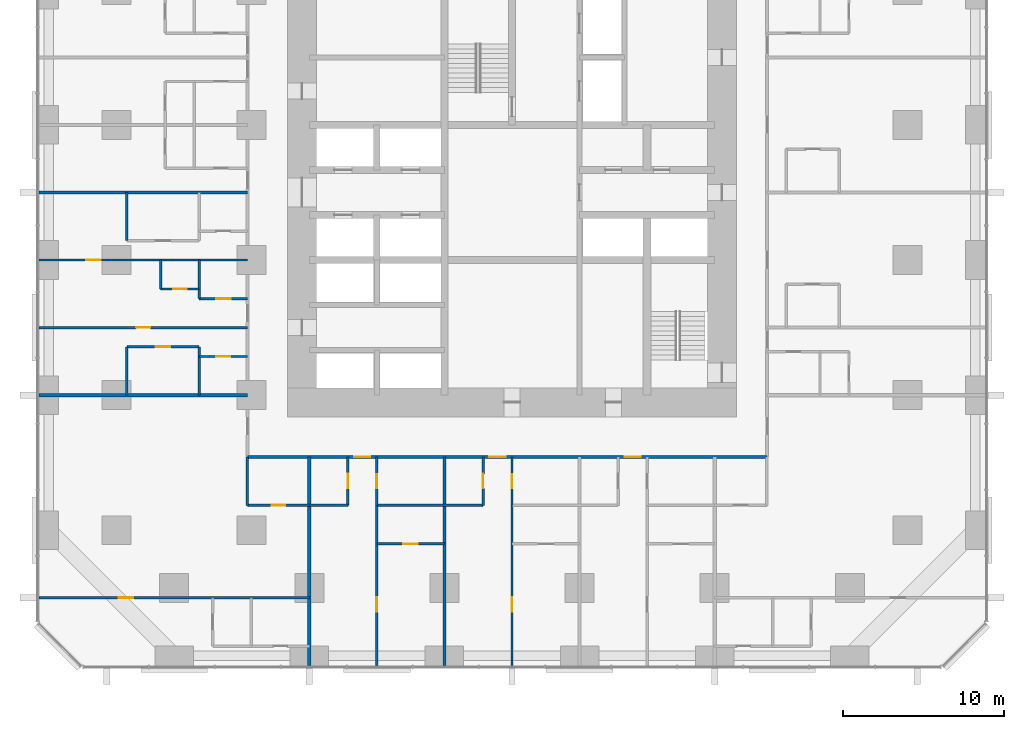
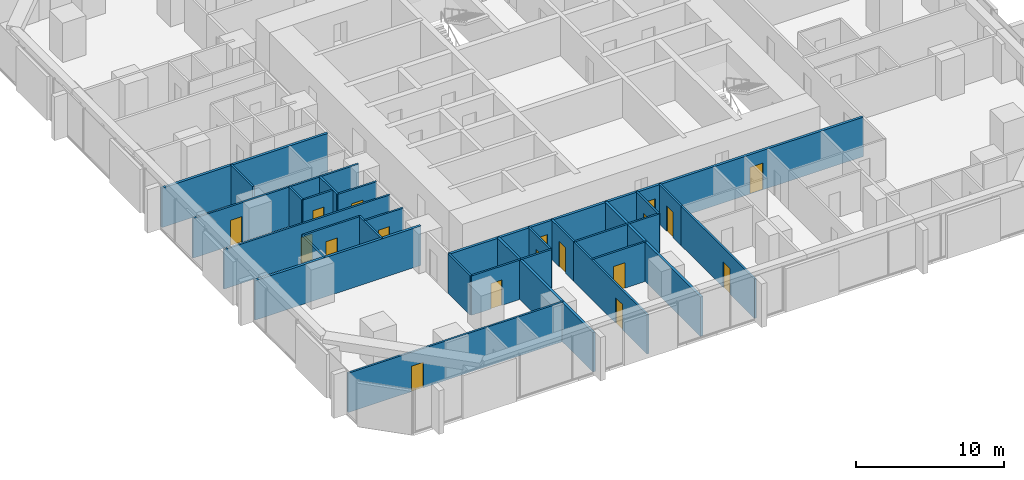
# One storey, part 11 of 17: 28 walls, 18 doors, 18 openings.
"""IFC4 building model written with IfcOpenShell, lengths in metres."""

import ifcopenshell
import ifcopenshell.guid

model = None  # the IFC model being written
_history = None  # IfcOwnerHistory: only IFC2X3 demands one
_inside = {}  # id of a spatial element -> (the spatial element, [elements in it])
_under = {}  # id of a project, library or spatial element -> (it, [spatial elements below it])
_declared = {}  # id of a project -> (the project, [libraries it declares])
_typed = {}  # id of a type object -> (the type object, [elements of that type])
_made_of = {}  # id of a material, layer set ... -> (it, [elements and type objects made of it])


def new_model(schema):
    """Start an empty IFC model of exactly this schema.

    Asked for "IFC4X3", IfcOpenShell would pick the latest addendum, in which some entities
    have other attributes; the version numbers below select the first issue.
    IFC2X3 requires an IfcOwnerHistory on every rooted entity: one is made here for all.
    """
    global model, _history
    if schema == "IFC4X3":
        model = ifcopenshell.file(schema_version=(4, 3, 0, 0))
    else:
        model = ifcopenshell.file(schema=schema)
    _inside.clear()
    _under.clear()
    _declared.clear()
    _typed.clear()
    _made_of.clear()
    _history = None
    if model.schema == "IFC2X3":
        org = make("IfcOrganization", Name="unknown")
        user = make(
            "IfcPersonAndOrganization",
            ThePerson=make("IfcPerson", FamilyName="unknown"),
            TheOrganization=org,
        )
        app = make(
            "IfcApplication",
            ApplicationDeveloper=org,
            Version="unknown",
            ApplicationFullName="unknown",
            ApplicationIdentifier="unknown",
        )
        _history = make(
            "IfcOwnerHistory",
            OwningUser=user,
            OwningApplication=app,
            ChangeAction="ADDED",
            CreationDate=0,
        )
    return model


def make(cls, **values):
    """One entity of the class cls with the attributes given. An attribute that is None is left unset."""
    return model.create_entity(
        cls, **{name: value for name, value in values.items() if value is not None}
    )


def rooted(cls, **values):
    """An entity with a GlobalId (a new one), such as an element, a storey or a relation."""
    return make(cls, GlobalId=ifcopenshell.guid.new(), OwnerHistory=_history, **values)


def si_unit(unit_type, name, prefix=None):
    """IfcSIUnit, for example si_unit("LENGTHUNIT", "METRE", prefix="MILLI")."""
    return make("IfcSIUnit", UnitType=unit_type, Prefix=prefix, Name=name)


def assignment(units):
    """IfcUnitAssignment: the units of a project."""
    return None if units is None else make("IfcUnitAssignment", Units=units)


def point(xyz):
    """IfcCartesianPoint."""
    return None if xyz is None else make("IfcCartesianPoint", Coordinates=xyz)


def direction(xyz):
    """IfcDirection."""
    return None if xyz is None else make("IfcDirection", DirectionRatios=xyz)


def frame(location, z_axis=None, x_axis=None):
    """IfcAxis2Placement3D, a coordinate frame: its origin and axes. An axis left out is left unset."""
    return make(
        "IfcAxis2Placement3D",
        Location=point(location),
        Axis=direction(z_axis),
        RefDirection=direction(x_axis),
    )


def frame_2d(location, x_axis=None):
    """IfcAxis2Placement2D, a coordinate frame in the plane: its origin and x axis."""
    return make(
        "IfcAxis2Placement2D", Location=point(location), RefDirection=direction(x_axis)
    )


def origin():
    """The frame at (0, 0, 0) with its axes left unset."""
    return frame((0.0, 0.0, 0.0))


def place(relative_to, where):
    """IfcLocalPlacement: puts the frame where relative to a parent placement (None: the world)."""
    return make(
        "IfcLocalPlacement", PlacementRelTo=relative_to, RelativePlacement=where
    )


def context(
    kind, dimensions, precision=None, world=None, true_north=None, identifier=None
):
    """IfcGeometricRepresentationContext, for example the 3D "Model" context."""
    return make(
        "IfcGeometricRepresentationContext",
        ContextIdentifier=identifier,
        ContextType=kind,
        CoordinateSpaceDimension=dimensions,
        Precision=precision,
        WorldCoordinateSystem=world,
        TrueNorth=true_north,
    )


def subcontext(parent, identifier, kind, view, scale=None):
    """IfcGeometricRepresentationSubContext, for example "Body" below "Model"."""
    return make(
        "IfcGeometricRepresentationSubContext",
        ContextIdentifier=identifier,
        ContextType=kind,
        ParentContext=parent,
        TargetScale=scale,
        TargetView=view,
    )


def project(units=None, contexts=None):
    """IfcProject with its units and contexts."""
    return rooted(
        "IfcProject",
        Name="project",
        RepresentationContexts=contexts,
        UnitsInContext=assignment(units),
    )


def spatial(cls, under=None, at=None, **own):
    """A site, building, storey or space (cls), placed at a placement, below another one or the project."""
    s = rooted(cls, ObjectPlacement=at, **own)
    if under is not None:
        _under.setdefault(under.id(), (under, []))[1].append(s)
    return s


def profile(cls, at=None, kind="AREA", **sizes):
    """A parametric profile (cls). Its sizes go by their IFC names, for example OverallWidth=200.0."""
    return make(cls, ProfileType=kind, Position=at, **sizes)


def rectangle(**sizes):
    """IfcRectangleProfileDef."""
    return profile("IfcRectangleProfileDef", **sizes)


def extrude(swept, where, along, depth):
    """IfcExtrudedAreaSolid: the profile swept, set in the frame where, extruded along a direction by depth."""
    return make(
        "IfcExtrudedAreaSolid",
        SweptArea=swept,
        Position=where,
        ExtrudedDirection=direction(along),
        Depth=depth,
    )


def shape(context_of_items, identifier, shape_type, items):
    """IfcShapeRepresentation: the items that make up one representation, for example the "Body"."""
    return make(
        "IfcShapeRepresentation",
        ContextOfItems=context_of_items,
        RepresentationIdentifier=identifier,
        RepresentationType=shape_type,
        Items=items,
    )


def material(Name=None, Category=None):
    """IfcMaterial."""
    return make("IfcMaterial", Name=Name, Category=Category)


def layer(
    of_material, thickness, ventilated=None, Name=None, Category=None, Priority=None
):
    """IfcMaterialLayer: one layer of a wall or slab, of a material (None: an air gap)."""
    return make(
        "IfcMaterialLayer",
        Material=of_material,
        LayerThickness=thickness,
        IsVentilated=ventilated,
        Name=Name,
        Category=Category,
        Priority=Priority,
    )


def layer_set(layers, Name=None):
    """IfcMaterialLayerSet."""
    return make("IfcMaterialLayerSet", MaterialLayers=layers, LayerSetName=Name)


def made_of(thing, what):
    """Note that an element or type object is made of a material, layer set ...; save() writes the relation."""
    if what is not None:
        _made_of.setdefault(what.id(), (what, []))[1].append(thing)
    return thing


def type_object(cls, material=None, **own):
    """A type object (cls), such as IfcWallType, which elements share."""
    return made_of(rooted(cls, **own), material)


def element(
    cls,
    number,
    at=None,
    inside=None,
    cuts=None,
    type_object=None,
    material=None,
    context=None,
    identifier="Body",
    shape_type=None,
    held_by="IfcProductDefinitionShape",
    body=None,
    shapes=None,
    **own,
):
    """One element of the class cls, such as IfcWall. Its Tag is "e" and its number.

    at: its placement. inside: the storey or other place that contains it. cuts: it is an
    opening in that element (IfcRelVoidsElement). A single representation is given by context,
    identifier, shape_type and body (its items); several are given by shapes. held_by: the class
    of the entity that holds the representations. save() writes the other relations.
    """
    e = rooted(cls, Tag="e%d" % number, ObjectPlacement=at, **own)
    if body is not None:
        shapes = [shape(context, identifier, shape_type, body)]
    if shapes is not None:
        e.Representation = make(held_by, Representations=shapes)
    if inside is not None:
        _inside.setdefault(inside.id(), (inside, []))[1].append(e)
    if cuts is not None:
        rooted(
            "IfcRelVoidsElement", RelatingBuildingElement=cuts, RelatedOpeningElement=e
        )
    if type_object is not None:
        _typed.setdefault(type_object.id(), (type_object, []))[1].append(e)
    return made_of(e, material)


def fill(opening, filler):
    """IfcRelFillsElement: the door or window that sits in an opening."""
    return rooted(
        "IfcRelFillsElement",
        RelatingOpeningElement=opening,
        RelatedBuildingElement=filler,
    )


def aggregate(whole, parts):
    """IfcRelAggregates: a whole, such as a stair, and the parts it consists of."""
    return rooted("IfcRelAggregates", RelatingObject=whole, RelatedObjects=parts)


def save(model, path):
    """Write the relations noted so far, then the file.

    IfcRelAggregates (storeys below a building ...), IfcRelContainedInSpatialStructure (elements
    in a storey), IfcRelDefinesByType, IfcRelAssociatesMaterial and IfcRelDeclares: one each for
    every whole, place, type object, material and project.
    """
    for whole, parts in _under.values():
        aggregate(whole, parts)
    for where, things in _inside.values():
        rooted(
            "IfcRelContainedInSpatialStructure",
            RelatedElements=things,
            RelatingStructure=where,
        )
    for kind, things in _typed.values():
        rooted("IfcRelDefinesByType", RelatedObjects=things, RelatingType=kind)
    for what, things in _made_of.values():
        rooted("IfcRelAssociatesMaterial", RelatedObjects=things, RelatingMaterial=what)
    for by, libraries in _declared.values():
        rooted("IfcRelDeclares", RelatingContext=by, RelatedDefinitions=libraries)
    model.write(path)


model = new_model("IFC4")

# Units and contexts
model_context = context("Model", 3, precision=1e-05, world=origin(), true_north=direction((0.0, 1.0)))
body_context = subcontext(model_context, "Body", "Model", "MODEL_VIEW")
ifc_project = project(units=[si_unit("LENGTHUNIT", "METRE"), si_unit("AREAUNIT", "SQUARE_METRE"), si_unit("VOLUMEUNIT", "CUBIC_METRE"), si_unit("PLANEANGLEUNIT", "RADIAN"), si_unit("MASSUNIT", "GRAM", prefix="KILO")], contexts=[model_context])

# Site, building, storey
site_placement = place(None, origin())
site = spatial("IfcSite", under=ifc_project, at=site_placement, CompositionType="ELEMENT")
building_placement = place(site_placement, origin())
building = spatial("IfcBuilding", under=site, at=building_placement, Name="Dunama Terrace Hotel", CompositionType="ELEMENT")
storey_placement = place(building_placement, frame((0.0, 0.0, 45.0)))
storey = spatial("IfcBuildingStorey", under=building, at=storey_placement, Name="L10", CompositionType="ELEMENT", Elevation=45.0)

# Walls
ifc_material_1 = material(Name="Gypsum board partition", Category="masonry")
ifc_layer_1 = layer(ifc_material_1, 0.14990234375)
ifc_layer_set_1 = layer_set([ifc_layer_1], Name="Bathroom partition 150")
wall_type_1 = type_object("IfcWallType", Name="Bathroom partition 150", PredefinedType="PARTITIONING", material=ifc_layer_set_1)
wall_1_placement = place(storey_placement, frame((7.550048828125, 23.39990234375, 0.0), z_axis=(0.0, 0.0, 1.0), x_axis=(0.0, 1.0, 0.0)))
element("IfcWall", 1, at=wall_1_placement, inside=storey, type_object=wall_type_1, Name="Bathroom partition 150 L10", PredefinedType="PARTITIONING", context=body_context, shape_type="SweptSolid", body=[
    extrude(rectangle(XDim=1.800048828125, YDim=0.14990234375, at=frame_2d((0.89990234375, 0.0))), origin(), (0.0, 0.0, 1.0), 3.25),
])
wall_2_placement = place(storey_placement, frame((12.949951171875, 9.949951171875, 0.0), z_axis=(0.0, 0.0, 1.0), x_axis=(0.0, 1.0, 0.0)))
element("IfcWall", 2, at=wall_2_placement, inside=storey, type_object=wall_type_1, Name="Bathroom partition 150 L10", PredefinedType="PARTITIONING", context=body_context, shape_type="SweptSolid", body=[
    extrude(rectangle(XDim=3.0, YDim=0.14990234375, at=frame_2d((1.5, 0.0))), origin(), (0.0, 0.0, 1.0), 3.25),
])

# Wall, opening, door
wall_3_placement = place(storey_placement, frame((21.0, 9.949951171875, 0.0), z_axis=(0.0, 0.0, 1.0), x_axis=(0.0, 1.0, 0.0)))
wall_3 = element("IfcWall", 3, at=wall_3_placement, inside=storey, type_object=wall_type_1, Name="Bathroom partition 150 L10", PredefinedType="PARTITIONING", context=body_context, shape_type="SweptSolid", body=[
    extrude(rectangle(XDim=3.0, YDim=0.14990234375, at=frame_2d((1.5, 0.0))), origin(), (0.0, 0.0, 1.0), 3.25),
])
opening_1_placement = place(wall_3_placement, frame((1.074951171875, 0.0, 0.0)))
opening_1 = element("IfcOpeningElement", 4, at=opening_1_placement, cuts=wall_3, Name="Opening L10-11-011", PredefinedType="OPENING", context=body_context, shape_type="SweptSolid", body=[
    extrude(rectangle(XDim=0.85009765625, YDim=2.10009765625, at=frame_2d((0.425048828125, 1.050048828125))), frame((0.0, 0.0849609375, 0.0), z_axis=(0.0, -1.0, 0.0), x_axis=(1.0, 0.0, 0.0)), (0.0, 0.0, 1.0), 0.169921875),
])
ifc_material_2 = material(Name="Timber door with steel frame", Category="steel")
door_type_1 = type_object("IfcDoorType", Name="Bathroom door 850", OperationType="SINGLE_SWING_LEFT", PredefinedType="DOOR", material=ifc_material_2)
door_1_placement = place(opening_1_placement, frame((0.85009765625, 0.0, 0.0), z_axis=(0.0, 0.0, 1.0), x_axis=(-1.0, 0.0, 0.0)))
door_1 = element("IfcDoor", 5, at=door_1_placement, inside=storey, type_object=door_type_1, Name="Door to residence bathroom L10-11-011, type D2", OperationType="SINGLE_SWING_LEFT", OverallHeight=2.10009765625, OverallWidth=0.85009765625, PredefinedType="DOOR", context=body_context, shape_type="SweptSolid", body=[
    extrude(rectangle(XDim=0.85009765625, YDim=2.10009765625, at=frame_2d((0.425048828125, 1.050048828125))), frame((0.0, 0.025146484375, 0.0), z_axis=(0.0, -1.0, 0.0), x_axis=(1.0, 0.0, 0.0)), (0.0, 0.0, 1.0), 0.050048828125),
])
fill(opening_1, door_1)

wall_4_placement = place(storey_placement, frame((29.39990234375, 9.949951171875, 0.0), z_axis=(0.0, 0.0, 1.0), x_axis=(0.0, 1.0, 0.0)))
wall_4 = element("IfcWall", 6, at=wall_4_placement, inside=storey, type_object=wall_type_1, Name="Bathroom partition 150 L10", PredefinedType="PARTITIONING", context=body_context, shape_type="SweptSolid", body=[
    extrude(rectangle(XDim=3.0, YDim=0.14990234375, at=frame_2d((1.5, 0.0))), origin(), (0.0, 0.0, 1.0), 3.25),
])
opening_2_placement = place(wall_4_placement, frame((1.074951171875, 0.0, 0.0)))
opening_2 = element("IfcOpeningElement", 7, at=opening_2_placement, cuts=wall_4, Name="Opening L10-11-016", PredefinedType="OPENING", context=body_context, shape_type="SweptSolid", body=[
    extrude(rectangle(XDim=0.85009765625, YDim=2.10009765625, at=frame_2d((0.425048828125, 1.050048828125))), frame((0.0, 0.0849609375, 0.0), z_axis=(0.0, -1.0, 0.0), x_axis=(1.0, 0.0, 0.0)), (0.0, 0.0, 1.0), 0.169921875),
])
door_2_placement = place(opening_2_placement, frame((0.85009765625, 0.0, 0.0), z_axis=(0.0, 0.0, 1.0), x_axis=(-1.0, 0.0, 0.0)))
door_2 = element("IfcDoor", 8, at=door_2_placement, inside=storey, type_object=door_type_1, Name="Door to residence bathroom L10-11-016, type D2", OperationType="SINGLE_SWING_LEFT", OverallHeight=2.10009765625, OverallWidth=0.85009765625, PredefinedType="DOOR", context=body_context, shape_type="SweptSolid", body=[
    extrude(rectangle(XDim=0.85009765625, YDim=2.10009765625, at=frame_2d((0.425048828125, 1.050048828125))), frame((0.0, 0.025146484375, 0.0), z_axis=(0.0, -1.0, 0.0), x_axis=(1.0, 0.0, 0.0)), (0.0, 0.0, 1.0), 0.050048828125),
])
fill(opening_2, door_2)

wall_5_placement = place(storey_placement, frame((12.949951171875, 9.949951171875, 0.0), z_axis=(0.0, 0.0, 1.0), x_axis=(1.0, 0.0, 0.0)))
wall_5 = element("IfcWall", 9, at=wall_5_placement, inside=storey, type_object=wall_type_1, Name="Bathroom partition 150 L10", PredefinedType="PARTITIONING", context=body_context, shape_type="SweptSolid", body=[
    extrude(rectangle(XDim=3.85009765625, YDim=0.14990234375, at=frame_2d((1.925048828125, 0.0))), origin(), (0.0, 0.0, 1.0), 3.25),
])
opening_3_placement = place(wall_5_placement, frame((1.5, 0.0, 0.0)))
opening_3 = element("IfcOpeningElement", 10, at=opening_3_placement, cuts=wall_5, Name="Opening L10-11-068", PredefinedType="OPENING", context=body_context, shape_type="SweptSolid", body=[
    extrude(rectangle(XDim=0.85009765625, YDim=2.10009765625, at=frame_2d((0.425048828125, 1.050048828125))), frame((0.0, 0.0849609375, 0.0), z_axis=(0.0, -1.0, 0.0), x_axis=(1.0, 0.0, 0.0)), (0.0, 0.0, 1.0), 0.169921875),
])
door_3_placement = place(opening_3_placement, origin())
door_3 = element("IfcDoor", 11, at=door_3_placement, inside=storey, type_object=door_type_1, Name="Door to powder room L10-11-068, type D2", OperationType="SINGLE_SWING_LEFT", OverallHeight=2.10009765625, OverallWidth=0.85009765625, PredefinedType="DOOR", context=body_context, shape_type="SweptSolid", body=[
    extrude(rectangle(XDim=0.85009765625, YDim=2.10009765625, at=frame_2d((0.425048828125, 1.050048828125))), frame((0.0, 0.02490234375, 0.0), z_axis=(0.0, -1.0, 0.0), x_axis=(1.0, 0.0, 0.0)), (0.0, 0.0, 1.0), 0.050048828125),
])
fill(opening_3, door_3)

wall_6_placement = place(storey_placement, frame((9.949951171875, 19.199951171875, 0.0), z_axis=(0.0, 0.0, 1.0), x_axis=(1.0, 0.0, 0.0)))
wall_6 = element("IfcWall", 12, at=wall_6_placement, inside=storey, type_object=wall_type_1, Name="Bathroom partition 150 L10", PredefinedType="PARTITIONING", context=body_context, shape_type="SweptSolid", body=[
    extrude(rectangle(XDim=3.0, YDim=0.14990234375, at=frame_2d((1.5, 0.0))), origin(), (0.0, 0.0, 1.0), 3.25),
])
opening_4_placement = place(wall_6_placement, frame((1.074951171875, 0.0, 0.0)))
opening_4 = element("IfcOpeningElement", 13, at=opening_4_placement, cuts=wall_6, Name="Opening L10-11-056", PredefinedType="OPENING", context=body_context, shape_type="SweptSolid", body=[
    extrude(rectangle(XDim=0.85009765625, YDim=2.10009765625, at=frame_2d((0.425048828125, 1.050048828125))), frame((0.0, 0.0849609375, 0.0), z_axis=(0.0, -1.0, 0.0), x_axis=(1.0, 0.0, 0.0)), (0.0, 0.0, 1.0), 0.169921875),
])
door_4_placement = place(opening_4_placement, frame((0.85009765625, 0.0, 0.0), z_axis=(0.0, 0.0, 1.0), x_axis=(-1.0, 0.0, 0.0)))
door_4 = element("IfcDoor", 14, at=door_4_placement, inside=storey, type_object=door_type_1, Name="Door to en-suite bathroom L10-11-056, type D2", OperationType="SINGLE_SWING_LEFT", OverallHeight=2.10009765625, OverallWidth=0.85009765625, PredefinedType="DOOR", context=body_context, shape_type="SweptSolid", body=[
    extrude(rectangle(XDim=0.85009765625, YDim=2.10009765625, at=frame_2d((0.425048828125, 1.050048828125))), frame((0.0, 0.025146484375, 0.0), z_axis=(0.0, -1.0, 0.0), x_axis=(1.0, 0.0, 0.0)), (0.0, 0.0, 1.0), 0.050048828125),
])
fill(opening_4, door_4)

wall_7_placement = place(storey_placement, frame((7.550048828125, 23.39990234375, 0.0), z_axis=(0.0, 0.0, 1.0), x_axis=(1.0, 0.0, 0.0)))
wall_7 = element("IfcWall", 15, at=wall_7_placement, inside=storey, type_object=wall_type_1, Name="Bathroom partition 150 L10", PredefinedType="PARTITIONING", context=body_context, shape_type="SweptSolid", body=[
    extrude(rectangle(XDim=2.39990234375, YDim=0.14990234375, at=frame_2d((1.199951171875, 0.0))), origin(), (0.0, 0.0, 1.0), 3.25),
])
opening_5_placement = place(wall_7_placement, frame((0.77490234375, 0.0, 0.0)))
opening_5 = element("IfcOpeningElement", 16, at=opening_5_placement, cuts=wall_7, Name="Opening L10-11-051", PredefinedType="OPENING", context=body_context, shape_type="SweptSolid", body=[
    extrude(rectangle(XDim=0.85009765625, YDim=2.10009765625, at=frame_2d((0.425048828125, 1.050048828125))), frame((0.0, 0.0849609375, 0.0), z_axis=(0.0, -1.0, 0.0), x_axis=(1.0, 0.0, 0.0)), (0.0, 0.0, 1.0), 0.169921875),
])
door_5_placement = place(opening_5_placement, origin())
door_5 = element("IfcDoor", 17, at=door_5_placement, inside=storey, type_object=door_type_1, Name="Door to two-bedroom residence guest wc L10-11-051, type D2", OperationType="SINGLE_SWING_LEFT", OverallHeight=2.10009765625, OverallWidth=0.85009765625, PredefinedType="DOOR", context=body_context, shape_type="SweptSolid", body=[
    extrude(rectangle(XDim=0.85009765625, YDim=2.10009765625, at=frame_2d((0.425048828125, 1.050048828125))), frame((0.0, 0.02490234375, 0.0), z_axis=(0.0, -1.0, 0.0), x_axis=(1.0, 0.0, 0.0)), (0.0, 0.0, 1.0), 0.050048828125),
])
fill(opening_5, door_5)

# Wall, openings, doors
ifc_material_3 = material(Name="Concrete blockwork", Category="masonry")
ifc_layer_2 = layer(ifc_material_3, 0.199951171875)
ifc_layer_set_2 = layer_set([ifc_layer_2], Name="Corridor partition 200")
wall_type_2 = type_object("IfcWallType", Name="Corridor partition 200", PredefinedType="PARTITIONING", material=ifc_layer_set_2)
wall_8_placement = place(storey_placement, frame((45.25, 12.949951171875, 0.0), z_axis=(0.0, 0.0, 1.0), x_axis=(-1.0, 0.0, 0.0)))
wall_8 = element("IfcWall", 18, at=wall_8_placement, inside=storey, type_object=wall_type_2, Name="Corridor partition 200 L10", PredefinedType="PARTITIONING", context=body_context, shape_type="SweptSolid", body=[
    extrude(rectangle(XDim=32.300048828125, YDim=0.199951171875, at=frame_2d((16.14990234375, 0.0))), origin(), (0.0, 0.0, 1.0), 3.25),
])
opening_6_placement = place(wall_8_placement, frame((24.64990234375, 0.0, 0.0)))
opening_6 = element("IfcOpeningElement", 19, at=opening_6_placement, cuts=wall_8, Name="Opening L10-11-009", PredefinedType="OPENING", context=body_context, shape_type="SweptSolid", body=[
    extrude(rectangle(XDim=1.0, YDim=2.199951171875, at=frame_2d((0.5, 1.10009765625))), frame((0.0, 0.10986328125, 0.0), z_axis=(0.0, -1.0, 0.0), x_axis=(1.0, 0.0, 0.0)), (0.0, 0.0, 1.0), 0.219970703125),
])
opening_7_placement = place(wall_8_placement, frame((16.25, 0.0, 0.0)))
opening_7 = element("IfcOpeningElement", 20, at=opening_7_placement, cuts=wall_8, Name="Opening L10-11-014", PredefinedType="OPENING", context=body_context, shape_type="SweptSolid", body=[
    extrude(rectangle(XDim=1.0, YDim=2.199951171875, at=frame_2d((0.5, 1.10009765625))), frame((0.0, 0.10986328125, 0.0), z_axis=(0.0, -1.0, 0.0), x_axis=(1.0, 0.0, 0.0)), (0.0, 0.0, 1.0), 0.219970703125),
])
opening_8_placement = place(wall_8_placement, frame((7.85009765625, 0.0, 0.0)))
opening_8 = element("IfcOpeningElement", 21, at=opening_8_placement, cuts=wall_8, Name="Opening L10-11-019", PredefinedType="OPENING", context=body_context, shape_type="SweptSolid", body=[
    extrude(rectangle(XDim=1.0, YDim=2.199951171875, at=frame_2d((0.5, 1.10009765625))), frame((0.0, 0.10986328125, 0.0), z_axis=(0.0, -1.0, 0.0), x_axis=(1.0, 0.0, 0.0)), (0.0, 0.0, 1.0), 0.219970703125),
])
ifc_material_4 = material(Name="Timber door with steel frame", Category="steel")
door_type_2 = type_object("IfcDoorType", Name="Guest room door 1000", OperationType="SINGLE_SWING_LEFT", PredefinedType="DOOR", material=ifc_material_4)
door_6_placement = place(opening_6_placement, origin())
door_6 = element("IfcDoor", 22, at=door_6_placement, inside=storey, type_object=door_type_2, Name="Door to residence living room L10-11-009, type D1", OperationType="SINGLE_SWING_LEFT", OverallHeight=2.199951171875, OverallWidth=1.0, PredefinedType="DOOR", context=body_context, shape_type="SweptSolid", body=[
    extrude(rectangle(XDim=1.0, YDim=2.199951171875, at=frame_2d((0.5, 1.10009765625))), frame((0.0, 0.02490234375, 0.0), z_axis=(0.0, -1.0, 0.0), x_axis=(1.0, 0.0, 0.0)), (0.0, 0.0, 1.0), 0.050048828125),
])
fill(opening_6, door_6)
door_7_placement = place(opening_7_placement, origin())
door_7 = element("IfcDoor", 23, at=door_7_placement, inside=storey, type_object=door_type_2, Name="Door to residence living room L10-11-014, type D1", OperationType="SINGLE_SWING_LEFT", OverallHeight=2.199951171875, OverallWidth=1.0, PredefinedType="DOOR", context=body_context, shape_type="SweptSolid", body=[
    extrude(rectangle(XDim=1.0, YDim=2.199951171875, at=frame_2d((0.5, 1.10009765625))), frame((0.0, 0.02490234375, 0.0), z_axis=(0.0, -1.0, 0.0), x_axis=(1.0, 0.0, 0.0)), (0.0, 0.0, 1.0), 0.050048828125),
])
fill(opening_7, door_7)
door_8_placement = place(opening_8_placement, origin())
door_8 = element("IfcDoor", 24, at=door_8_placement, inside=storey, type_object=door_type_2, Name="Door to residence living room L10-11-019, type D1", OperationType="SINGLE_SWING_LEFT", OverallHeight=2.199951171875, OverallWidth=1.0, PredefinedType="DOOR", context=body_context, shape_type="SweptSolid", body=[
    extrude(rectangle(XDim=1.0, YDim=2.199951171875, at=frame_2d((0.5, 1.10009765625))), frame((0.0, 0.02490234375, 0.0), z_axis=(0.0, -1.0, 0.0), x_axis=(1.0, 0.0, 0.0)), (0.0, 0.0, 1.0), 0.050048828125),
])
fill(opening_8, door_8)

# Walls
ifc_material_5 = material(Name="Concrete blockwork", Category="masonry")
ifc_layer_3 = layer(ifc_material_5, 0.199951171875)
ifc_layer_set_3 = layer_set([ifc_layer_3], Name="Party wall 200")
wall_type_3 = type_object("IfcWallType", Name="Party wall 200", PredefinedType="PARTITIONING", material=ifc_layer_set_3)
for number, where, z_axis, x_axis, name in (
    (25, (16.800048828125, -0.008056640625, 0.0), (0.0, 0.0, 1.0), (0.0, 1.0, 0.0), "Party wall 200 L10"),
    (26, (25.199951171875, -0.008056640625, 0.0), (0.0, 0.0, 1.0), (0.0, 1.0, 0.0), "Party wall 200 L10"),
    (27, (-0.008056640625, 16.800048828125, 0.0), (0.0, 0.0, 1.0), (1.0, 0.0, 0.0), "Party wall 200 L10"),
    (28, (-0.008056640625, 29.39990234375, 0.0), (0.0, 0.0, 1.0), (1.0, 0.0, 0.0), "Party wall 200 L10"),
):
    element("IfcWall", number, at=place(storey_placement, frame(where, z_axis=z_axis, x_axis=x_axis)), inside=storey, type_object=wall_type_3, Name=name, PredefinedType="PARTITIONING", context=body_context, shape_type="SweptSolid", body=[
        extrude(rectangle(XDim=12.9580078125, YDim=0.199951171875, at=frame_2d((6.47900390625, 0.0))), origin(), (0.0, 0.0, 1.0), 3.25),
    ])
ifc_material_6 = material(Name="Gypsum board partition", Category="masonry")
ifc_layer_4 = layer(ifc_material_6, 0.14990234375)
ifc_layer_set_4 = layer_set([ifc_layer_4], Name="Room partition 150")
wall_type_4 = type_object("IfcWallType", Name="Room partition 150", PredefinedType="PARTITIONING", material=ifc_layer_set_4)
for number, where, z_axis, x_axis, name in (
    (29, (5.449951171875, 16.800048828125, 0.0), (0.0, 0.0, 1.0), (0.0, 1.0, 0.0), "Room partition 150 L10"),
    (30, (5.449951171875, 26.39990234375, 0.0), (0.0, 0.0, 1.0), (0.0, 1.0, 0.0), "Room partition 150 L10"),
    (31, (9.949951171875, 16.800048828125, 0.0), (0.0, 0.0, 1.0), (0.0, 1.0, 0.0), "Room partition 150 L10"),
):
    element("IfcWall", number, at=place(storey_placement, frame(where, z_axis=z_axis, x_axis=x_axis)), inside=storey, type_object=wall_type_4, Name=name, PredefinedType="PARTITIONING", context=body_context, shape_type="SweptSolid", body=[
        extrude(rectangle(XDim=3.0, YDim=0.14990234375, at=frame_2d((1.5, 0.0))), origin(), (0.0, 0.0, 1.0), 3.25),
    ])
wall_9_placement = place(storey_placement, frame((9.949951171875, 22.800048828125, 0.0), z_axis=(0.0, 0.0, 1.0), x_axis=(0.0, 1.0, 0.0)))
element("IfcWall", 32, at=wall_9_placement, inside=storey, type_object=wall_type_4, Name="Room partition 150 L10", PredefinedType="PARTITIONING", context=body_context, shape_type="SweptSolid", body=[
    extrude(rectangle(XDim=2.39990234375, YDim=0.14990234375, at=frame_2d((1.199951171875, 0.0))), origin(), (0.0, 0.0, 1.0), 3.25),
])

# Wall, opening, door
wall_10_placement = place(storey_placement, frame((19.199951171875, 9.949951171875, 0.0), z_axis=(0.0, 0.0, 1.0), x_axis=(0.0, 1.0, 0.0)))
wall_10 = element("IfcWall", 33, at=wall_10_placement, inside=storey, type_object=wall_type_4, Name="Room partition 150 L10", PredefinedType="PARTITIONING", context=body_context, shape_type="SweptSolid", body=[
    extrude(rectangle(XDim=3.0, YDim=0.14990234375, at=frame_2d((1.5, 0.0))), origin(), (0.0, 0.0, 1.0), 3.25),
])
opening_9_placement = place(wall_10_placement, frame((1.050048828125, 0.0, 0.0)))
opening_9 = element("IfcOpeningElement", 34, at=opening_9_placement, cuts=wall_10, Name="Opening L10-11-010", PredefinedType="OPENING", context=body_context, shape_type="SweptSolid", body=[
    extrude(rectangle(XDim=0.89990234375, YDim=2.10009765625, at=frame_2d((0.449951171875, 1.050048828125))), frame((0.0, 0.0849609375, 0.0), z_axis=(0.0, -1.0, 0.0), x_axis=(1.0, 0.0, 0.0)), (0.0, 0.0, 1.0), 0.169921875),
])
ifc_material_7 = material(Name="Timber door with steel frame", Category="steel")
door_type_3 = type_object("IfcDoorType", Name="Suite internal door 900", OperationType="SINGLE_SWING_LEFT", PredefinedType="DOOR", material=ifc_material_7)
door_9_placement = place(opening_9_placement, origin())
door_9 = element("IfcDoor", 35, at=door_9_placement, inside=storey, type_object=door_type_3, Name="Door to residence kitchen L10-11-010, type D16", OperationType="SINGLE_SWING_RIGHT", OverallHeight=2.10009765625, OverallWidth=0.89990234375, PredefinedType="DOOR", context=body_context, shape_type="SweptSolid", body=[
    extrude(rectangle(XDim=0.89990234375, YDim=2.10009765625, at=frame_2d((0.449951171875, 1.050048828125))), frame((0.0, 0.02490234375, 0.0), z_axis=(0.0, -1.0, 0.0), x_axis=(1.0, 0.0, 0.0)), (0.0, 0.0, 1.0), 0.050048828125),
])
fill(opening_9, door_9)

wall_11_placement = place(storey_placement, frame((21.0, -0.008056640625, 0.0), z_axis=(0.0, 0.0, 1.0), x_axis=(0.0, 1.0, 0.0)))
wall_11 = element("IfcWall", 36, at=wall_11_placement, inside=storey, type_object=wall_type_4, Name="Room partition 150 L10", PredefinedType="PARTITIONING", context=body_context, shape_type="SweptSolid", body=[
    extrude(rectangle(XDim=9.9580078125, YDim=0.14990234375, at=frame_2d((4.97900390625, 0.0))), origin(), (0.0, 0.0, 1.0), 3.25),
])
opening_10_placement = place(wall_11_placement, frame((3.3330078125, 0.0, 0.0)))
opening_10 = element("IfcOpeningElement", 37, at=opening_10_placement, cuts=wall_11, Name="Opening L10-11-013", PredefinedType="OPENING", context=body_context, shape_type="SweptSolid", body=[
    extrude(rectangle(XDim=0.89990234375, YDim=2.10009765625, at=frame_2d((0.449951171875, 1.050048828125))), frame((0.0, 0.0849609375, 0.0), z_axis=(0.0, -1.0, 0.0), x_axis=(1.0, 0.0, 0.0)), (0.0, 0.0, 1.0), 0.169921875),
])
door_10_placement = place(opening_10_placement, frame((0.89990234375, 0.0, 0.0), z_axis=(0.0, 0.0, 1.0), x_axis=(-1.0, 0.0, 0.0)))
door_10 = element("IfcDoor", 38, at=door_10_placement, inside=storey, type_object=door_type_3, Name="Door to residence bedroom L10-11-013, type D16", OperationType="SINGLE_SWING_LEFT", OverallHeight=2.10009765625, OverallWidth=0.89990234375, PredefinedType="DOOR", context=body_context, shape_type="SweptSolid", body=[
    extrude(rectangle(XDim=0.89990234375, YDim=2.10009765625, at=frame_2d((0.449951171875, 1.050048828125))), frame((0.0, 0.025146484375, 0.0), z_axis=(0.0, -1.0, 0.0), x_axis=(1.0, 0.0, 0.0)), (0.0, 0.0, 1.0), 0.050048828125),
])
fill(opening_10, door_10)

wall_12_placement = place(storey_placement, frame((27.60009765625, 9.949951171875, 0.0), z_axis=(0.0, 0.0, 1.0), x_axis=(0.0, 1.0, 0.0)))
wall_12 = element("IfcWall", 39, at=wall_12_placement, inside=storey, type_object=wall_type_4, Name="Room partition 150 L10", PredefinedType="PARTITIONING", context=body_context, shape_type="SweptSolid", body=[
    extrude(rectangle(XDim=3.0, YDim=0.14990234375, at=frame_2d((1.5, 0.0))), origin(), (0.0, 0.0, 1.0), 3.25),
])
opening_11_placement = place(wall_12_placement, frame((1.050048828125, 0.0, 0.0)))
opening_11 = element("IfcOpeningElement", 40, at=opening_11_placement, cuts=wall_12, Name="Opening L10-11-015", PredefinedType="OPENING", context=body_context, shape_type="SweptSolid", body=[
    extrude(rectangle(XDim=0.89990234375, YDim=2.10009765625, at=frame_2d((0.449951171875, 1.050048828125))), frame((0.0, 0.0849609375, 0.0), z_axis=(0.0, -1.0, 0.0), x_axis=(1.0, 0.0, 0.0)), (0.0, 0.0, 1.0), 0.169921875),
])
door_11_placement = place(opening_11_placement, origin())
door_11 = element("IfcDoor", 41, at=door_11_placement, inside=storey, type_object=door_type_3, Name="Door to residence kitchen L10-11-015, type D16", OperationType="SINGLE_SWING_RIGHT", OverallHeight=2.10009765625, OverallWidth=0.89990234375, PredefinedType="DOOR", context=body_context, shape_type="SweptSolid", body=[
    extrude(rectangle(XDim=0.89990234375, YDim=2.10009765625, at=frame_2d((0.449951171875, 1.050048828125))), frame((0.0, 0.02490234375, 0.0), z_axis=(0.0, -1.0, 0.0), x_axis=(1.0, 0.0, 0.0)), (0.0, 0.0, 1.0), 0.050048828125),
])
fill(opening_11, door_11)

wall_13_placement = place(storey_placement, frame((29.39990234375, -0.008056640625, 0.0), z_axis=(0.0, 0.0, 1.0), x_axis=(0.0, 1.0, 0.0)))
wall_13 = element("IfcWall", 42, at=wall_13_placement, inside=storey, type_object=wall_type_4, Name="Room partition 150 L10", PredefinedType="PARTITIONING", context=body_context, shape_type="SweptSolid", body=[
    extrude(rectangle(XDim=9.9580078125, YDim=0.14990234375, at=frame_2d((4.97900390625, 0.0))), origin(), (0.0, 0.0, 1.0), 3.25),
])
opening_12_placement = place(wall_13_placement, frame((3.3330078125, 0.0, 0.0)))
opening_12 = element("IfcOpeningElement", 43, at=opening_12_placement, cuts=wall_13, Name="Opening L10-11-018", PredefinedType="OPENING", context=body_context, shape_type="SweptSolid", body=[
    extrude(rectangle(XDim=0.89990234375, YDim=2.10009765625, at=frame_2d((0.449951171875, 1.050048828125))), frame((0.0, 0.0849609375, 0.0), z_axis=(0.0, -1.0, 0.0), x_axis=(1.0, 0.0, 0.0)), (0.0, 0.0, 1.0), 0.169921875),
])
door_12_placement = place(opening_12_placement, frame((0.89990234375, 0.0, 0.0), z_axis=(0.0, 0.0, 1.0), x_axis=(-1.0, 0.0, 0.0)))
door_12 = element("IfcDoor", 44, at=door_12_placement, inside=storey, type_object=door_type_3, Name="Door to residence bedroom L10-11-018, type D16", OperationType="SINGLE_SWING_LEFT", OverallHeight=2.10009765625, OverallWidth=0.89990234375, PredefinedType="DOOR", context=body_context, shape_type="SweptSolid", body=[
    extrude(rectangle(XDim=0.89990234375, YDim=2.10009765625, at=frame_2d((0.449951171875, 1.050048828125))), frame((0.0, 0.025146484375, 0.0), z_axis=(0.0, -1.0, 0.0), x_axis=(1.0, 0.0, 0.0)), (0.0, 0.0, 1.0), 0.050048828125),
])
fill(opening_12, door_12)

wall_14_placement = place(storey_placement, frame((-0.008056640625, 4.199951171875, 0.0), z_axis=(0.0, 0.0, 1.0), x_axis=(1.0, 0.0, 0.0)))
wall_14 = element("IfcWall", 45, at=wall_14_placement, inside=storey, type_object=wall_type_4, Name="Room partition 150 L10", PredefinedType="PARTITIONING", context=body_context, shape_type="SweptSolid", body=[
    extrude(rectangle(XDim=16.80810546875, YDim=0.14990234375, at=frame_2d((8.404052734375, 0.0))), origin(), (0.0, 0.0, 1.0), 3.25),
])
opening_13_placement = place(wall_14_placement, frame((4.9580078125, 0.0, 0.0)))
opening_13 = element("IfcOpeningElement", 46, at=opening_13_placement, cuts=wall_14, Name="Opening L10-11-069", PredefinedType="OPENING", context=body_context, shape_type="SweptSolid", body=[
    extrude(rectangle(XDim=0.89990234375, YDim=2.10009765625, at=frame_2d((0.449951171875, 1.050048828125))), frame((0.0, 0.0849609375, 0.0), z_axis=(0.0, -1.0, 0.0), x_axis=(1.0, 0.0, 0.0)), (0.0, 0.0, 1.0), 0.169921875),
])
door_13_placement = place(opening_13_placement, frame((0.89990234375, 0.0, 0.0), z_axis=(0.0, 0.0, 1.0), x_axis=(-1.0, 0.0, 0.0)))
door_13 = element("IfcDoor", 47, at=door_13_placement, inside=storey, type_object=door_type_3, Name="Door to corner suite bedroom L10-11-069, type D16", OperationType="SINGLE_SWING_LEFT", OverallHeight=2.10009765625, OverallWidth=0.89990234375, PredefinedType="DOOR", context=body_context, shape_type="SweptSolid", body=[
    extrude(rectangle(XDim=0.89990234375, YDim=2.10009765625, at=frame_2d((0.449951171875, 1.050048828125))), frame((0.0, 0.025146484375, 0.0), z_axis=(0.0, -1.0, 0.0), x_axis=(1.0, 0.0, 0.0)), (0.0, 0.0, 1.0), 0.050048828125),
])
fill(opening_13, door_13)

wall_15_placement = place(storey_placement, frame((21.0, 7.550048828125, 0.0), z_axis=(0.0, 0.0, 1.0), x_axis=(1.0, 0.0, 0.0)))
wall_15 = element("IfcWall", 48, at=wall_15_placement, inside=storey, type_object=wall_type_4, Name="Room partition 150 L10", PredefinedType="PARTITIONING", context=body_context, shape_type="SweptSolid", body=[
    extrude(rectangle(XDim=4.199951171875, YDim=0.14990234375, at=frame_2d((2.10009765625, 0.0))), origin(), (0.0, 0.0, 1.0), 3.25),
])
opening_14_placement = place(wall_15_placement, frame((1.64990234375, 0.0, 0.0)))
opening_14 = element("IfcOpeningElement", 49, at=opening_14_placement, cuts=wall_15, Name="Opening L10-11-012", PredefinedType="OPENING", context=body_context, shape_type="SweptSolid", body=[
    extrude(rectangle(XDim=0.89990234375, YDim=2.10009765625, at=frame_2d((0.449951171875, 1.050048828125))), frame((0.0, 0.0849609375, 0.0), z_axis=(0.0, -1.0, 0.0), x_axis=(1.0, 0.0, 0.0)), (0.0, 0.0, 1.0), 0.169921875),
])
door_14_placement = place(opening_14_placement, origin())
door_14 = element("IfcDoor", 50, at=door_14_placement, inside=storey, type_object=door_type_3, Name="Door to walk-in wardrobe L10-11-012, type D16", OperationType="SINGLE_SWING_LEFT", OverallHeight=2.10009765625, OverallWidth=0.89990234375, PredefinedType="DOOR", context=body_context, shape_type="SweptSolid", body=[
    extrude(rectangle(XDim=0.89990234375, YDim=2.10009765625, at=frame_2d((0.449951171875, 1.050048828125))), frame((0.0, 0.02490234375, 0.0), z_axis=(0.0, -1.0, 0.0), x_axis=(1.0, 0.0, 0.0)), (0.0, 0.0, 1.0), 0.050048828125),
])
fill(opening_14, door_14)

# Walls
wall_16_placement = place(storey_placement, frame((16.800048828125, 9.949951171875, 0.0), z_axis=(0.0, 0.0, 1.0), x_axis=(1.0, 0.0, 0.0)))
element("IfcWall", 51, at=wall_16_placement, inside=storey, type_object=wall_type_4, Name="Room partition 150 L10", PredefinedType="PARTITIONING", context=body_context, shape_type="SweptSolid", body=[
    extrude(rectangle(XDim=2.39990234375, YDim=0.14990234375, at=frame_2d((1.199951171875, 0.0))), origin(), (0.0, 0.0, 1.0), 3.25),
])
wall_17_placement = place(storey_placement, frame((21.0, 9.949951171875, 0.0), z_axis=(0.0, 0.0, 1.0), x_axis=(1.0, 0.0, 0.0)))
element("IfcWall", 52, at=wall_17_placement, inside=storey, type_object=wall_type_4, Name="Room partition 150 L10", PredefinedType="PARTITIONING", context=body_context, shape_type="SweptSolid", body=[
    extrude(rectangle(XDim=6.60009765625, YDim=0.14990234375, at=frame_2d((3.300048828125, 0.0))), origin(), (0.0, 0.0, 1.0), 3.25),
])

# Wall, opening, door
wall_18_placement = place(storey_placement, frame((5.449951171875, 19.800048828125, 0.0), z_axis=(0.0, 0.0, 1.0), x_axis=(1.0, 0.0, 0.0)))
wall_18 = element("IfcWall", 53, at=wall_18_placement, inside=storey, type_object=wall_type_4, Name="Room partition 150 L10", PredefinedType="PARTITIONING", context=body_context, shape_type="SweptSolid", body=[
    extrude(rectangle(XDim=4.5, YDim=0.14990234375, at=frame_2d((2.25, 0.0))), origin(), (0.0, 0.0, 1.0), 3.25),
])
opening_15_placement = place(wall_18_placement, frame((1.800048828125, 0.0, 0.0)))
opening_15 = element("IfcOpeningElement", 54, at=opening_15_placement, cuts=wall_18, Name="Opening L10-11-057", PredefinedType="OPENING", context=body_context, shape_type="SweptSolid", body=[
    extrude(rectangle(XDim=0.89990234375, YDim=2.10009765625, at=frame_2d((0.449951171875, 1.050048828125))), frame((0.0, 0.0849609375, 0.0), z_axis=(0.0, -1.0, 0.0), x_axis=(1.0, 0.0, 0.0)), (0.0, 0.0, 1.0), 0.169921875),
])
door_15_placement = place(opening_15_placement, frame((0.89990234375, 0.0, 0.0), z_axis=(0.0, 0.0, 1.0), x_axis=(-1.0, 0.0, 0.0)))
door_15 = element("IfcDoor", 55, at=door_15_placement, inside=storey, type_object=door_type_3, Name="Door to walk-in wardrobe L10-11-057, type D16", OperationType="SINGLE_SWING_RIGHT", OverallHeight=2.10009765625, OverallWidth=0.89990234375, PredefinedType="DOOR", context=body_context, shape_type="SweptSolid", body=[
    extrude(rectangle(XDim=0.89990234375, YDim=2.10009765625, at=frame_2d((0.449951171875, 1.050048828125))), frame((0.0, 0.025146484375, 0.0), z_axis=(0.0, -1.0, 0.0), x_axis=(1.0, 0.0, 0.0)), (0.0, 0.0, 1.0), 0.050048828125),
])
fill(opening_15, door_15)

wall_19_placement = place(storey_placement, frame((-0.008056640625, 21.0, 0.0), z_axis=(0.0, 0.0, 1.0), x_axis=(1.0, 0.0, 0.0)))
wall_19 = element("IfcWall", 56, at=wall_19_placement, inside=storey, type_object=wall_type_4, Name="Room partition 150 L10", PredefinedType="PARTITIONING", context=body_context, shape_type="SweptSolid", body=[
    extrude(rectangle(XDim=12.9580078125, YDim=0.14990234375, at=frame_2d((6.47900390625, 0.0))), origin(), (0.0, 0.0, 1.0), 3.25),
])
opening_16_placement = place(wall_19_placement, frame((6.032958984375, 0.0, 0.0)))
opening_16 = element("IfcOpeningElement", 57, at=opening_16_placement, cuts=wall_19, Name="Opening L10-11-055", PredefinedType="OPENING", context=body_context, shape_type="SweptSolid", body=[
    extrude(rectangle(XDim=0.89990234375, YDim=2.10009765625, at=frame_2d((0.449951171875, 1.050048828125))), frame((0.0, 0.0849609375, 0.0), z_axis=(0.0, -1.0, 0.0), x_axis=(1.0, 0.0, 0.0)), (0.0, 0.0, 1.0), 0.169921875),
])
door_16_placement = place(opening_16_placement, frame((0.89990234375, 0.0, 0.0), z_axis=(0.0, 0.0, 1.0), x_axis=(-1.0, 0.0, 0.0)))
door_16 = element("IfcDoor", 58, at=door_16_placement, inside=storey, type_object=door_type_3, Name="Door to two-bedroom residence second bedroom L10-11-055, type D16", OperationType="SINGLE_SWING_RIGHT", OverallHeight=2.10009765625, OverallWidth=0.89990234375, PredefinedType="DOOR", context=body_context, shape_type="SweptSolid", body=[
    extrude(rectangle(XDim=0.89990234375, YDim=2.10009765625, at=frame_2d((0.449951171875, 1.050048828125))), frame((0.0, 0.025146484375, 0.0), z_axis=(0.0, -1.0, 0.0), x_axis=(1.0, 0.0, 0.0)), (0.0, 0.0, 1.0), 0.050048828125),
])
fill(opening_16, door_16)

wall_20_placement = place(storey_placement, frame((9.949951171875, 22.800048828125, 0.0), z_axis=(0.0, 0.0, 1.0), x_axis=(1.0, 0.0, 0.0)))
wall_20 = element("IfcWall", 59, at=wall_20_placement, inside=storey, type_object=wall_type_4, Name="Room partition 150 L10", PredefinedType="PARTITIONING", context=body_context, shape_type="SweptSolid", body=[
    extrude(rectangle(XDim=3.0, YDim=0.14990234375, at=frame_2d((1.5, 0.0))), origin(), (0.0, 0.0, 1.0), 3.25),
])
opening_17_placement = place(wall_20_placement, frame((1.050048828125, 0.0, 0.0)))
opening_17 = element("IfcOpeningElement", 60, at=opening_17_placement, cuts=wall_20, Name="Opening L10-11-050", PredefinedType="OPENING", context=body_context, shape_type="SweptSolid", body=[
    extrude(rectangle(XDim=0.89990234375, YDim=2.10009765625, at=frame_2d((0.449951171875, 1.050048828125))), frame((0.0, 0.0849609375, 0.0), z_axis=(0.0, -1.0, 0.0), x_axis=(1.0, 0.0, 0.0)), (0.0, 0.0, 1.0), 0.169921875),
])
door_17_placement = place(opening_17_placement, origin())
door_17 = element("IfcDoor", 61, at=door_17_placement, inside=storey, type_object=door_type_3, Name="Door to two-bedroom residence kitchen L10-11-050, type D16", OperationType="SINGLE_SWING_RIGHT", OverallHeight=2.10009765625, OverallWidth=0.89990234375, PredefinedType="DOOR", context=body_context, shape_type="SweptSolid", body=[
    extrude(rectangle(XDim=0.89990234375, YDim=2.10009765625, at=frame_2d((0.449951171875, 1.050048828125))), frame((0.0, 0.02490234375, 0.0), z_axis=(0.0, -1.0, 0.0), x_axis=(1.0, 0.0, 0.0)), (0.0, 0.0, 1.0), 0.050048828125),
])
fill(opening_17, door_17)

wall_21_placement = place(storey_placement, frame((-0.008056640625, 25.199951171875, 0.0), z_axis=(0.0, 0.0, 1.0), x_axis=(1.0, 0.0, 0.0)))
wall_21 = element("IfcWall", 62, at=wall_21_placement, inside=storey, type_object=wall_type_4, Name="Room partition 150 L10", PredefinedType="PARTITIONING", context=body_context, shape_type="SweptSolid", body=[
    extrude(rectangle(XDim=12.9580078125, YDim=0.14990234375, at=frame_2d((6.47900390625, 0.0))), origin(), (0.0, 0.0, 1.0), 3.25),
])
opening_18_placement = place(wall_21_placement, frame((2.93310546875, 0.0, 0.0)))
opening_18 = element("IfcOpeningElement", 63, at=opening_18_placement, cuts=wall_21, Name="Opening L10-11-052", PredefinedType="OPENING", context=body_context, shape_type="SweptSolid", body=[
    extrude(rectangle(XDim=0.89990234375, YDim=2.10009765625, at=frame_2d((0.449951171875, 1.050048828125))), frame((0.0, 0.0849609375, 0.0), z_axis=(0.0, -1.0, 0.0), x_axis=(1.0, 0.0, 0.0)), (0.0, 0.0, 1.0), 0.169921875),
])
door_18_placement = place(opening_18_placement, origin())
door_18 = element("IfcDoor", 64, at=door_18_placement, inside=storey, type_object=door_type_3, Name="Door to two-bedroom residence bedroom L10-11-052, type D16", OperationType="SINGLE_SWING_RIGHT", OverallHeight=2.10009765625, OverallWidth=0.89990234375, PredefinedType="DOOR", context=body_context, shape_type="SweptSolid", body=[
    extrude(rectangle(XDim=0.89990234375, YDim=2.10009765625, at=frame_2d((0.449951171875, 1.050048828125))), frame((0.0, 0.02490234375, 0.0), z_axis=(0.0, -1.0, 0.0), x_axis=(1.0, 0.0, 0.0)), (0.0, 0.0, 1.0), 0.050048828125),
])
fill(opening_18, door_18)

save(model, "model.ifc")
